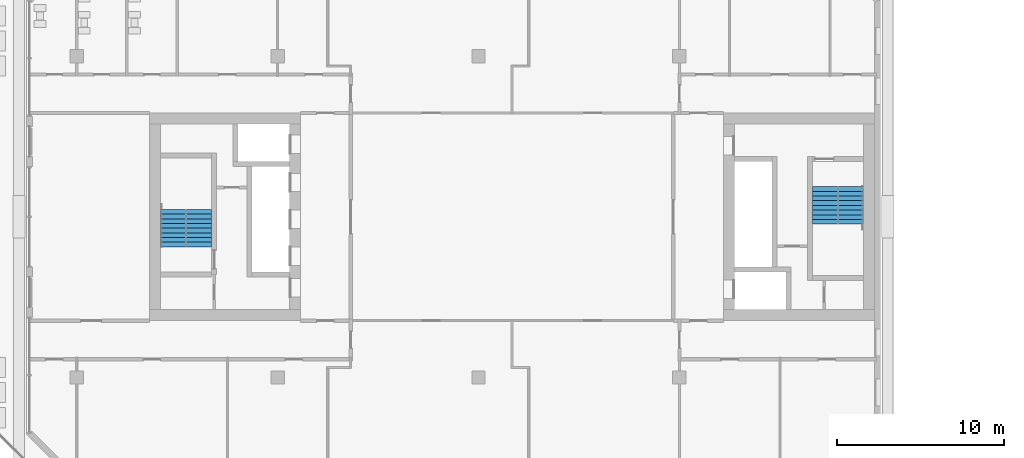
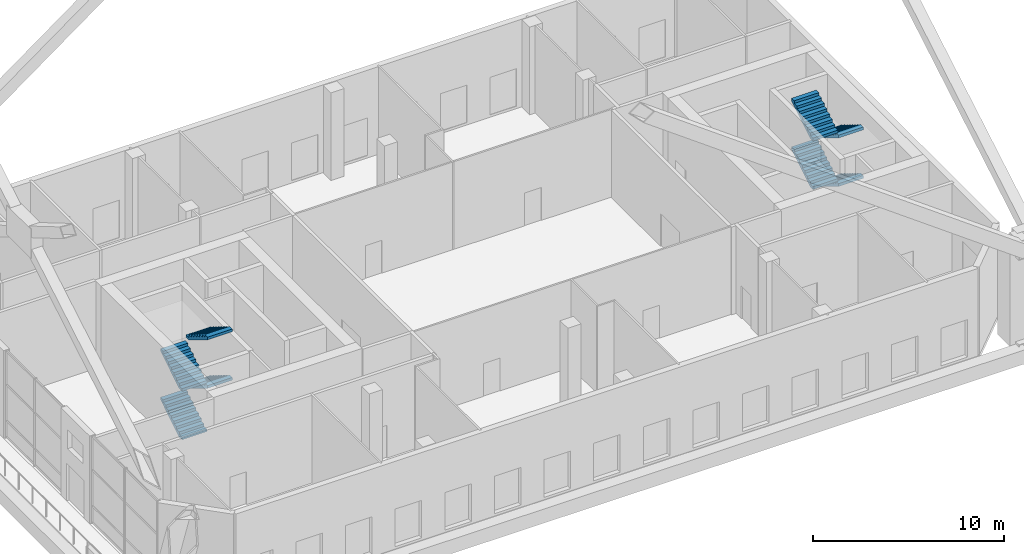
# One storey, part 18 of 20: 8 stair flights, 2 elements without a shape of their own.
"""IFC4 building model written with IfcOpenShell, lengths in metres."""

from ifc_helpers import new_model, si_unit, direction, frame, origin, place, context, subcontext, project, spatial, faceted_brep, material, type_object, element, aggregate, save


model = new_model("IFC4")

# Units and contexts
model_context = context("Model", 3, precision=1e-05, world=origin(), true_north=direction((0.0, 1.0)))
body_context = subcontext(model_context, "Body", "Model", "MODEL_VIEW")
ifc_project = project(units=[si_unit("LENGTHUNIT", "METRE"), si_unit("AREAUNIT", "SQUARE_METRE"), si_unit("VOLUMEUNIT", "CUBIC_METRE"), si_unit("PLANEANGLEUNIT", "RADIAN"), si_unit("MASSUNIT", "GRAM", prefix="KILO")], contexts=[model_context])

# Site, building, storey
site_placement = place(None, origin())
site = spatial("IfcSite", under=ifc_project, at=site_placement, CompositionType="ELEMENT")
building_placement = place(site_placement, origin())
building = spatial("IfcBuilding", under=site, at=building_placement, Name="Tuart Gate Housing", CompositionType="ELEMENT")
storey_placement = place(building_placement, frame((0.0, 0.0, 90.199951171875)))
storey = spatial("IfcBuildingStorey", under=building, at=storey_placement, Name="L25", CompositionType="ELEMENT", Elevation=90.199951171875)

# Stair, stair flights
ifc_material_1 = material(Name="Concrete C40", Category="concrete")
stair_type = type_object("IfcStairType", Name="Core stair 1500", PredefinedType="HALF_TURN_STAIR", material=ifc_material_1)
stair_1_placement = place(storey_placement, origin())
stair_1 = element("IfcStair", 1, at=stair_1_placement, inside=storey, type_object=stair_type, Name="Stair SA1", PredefinedType="HALF_TURN_STAIR")
ifc_material_2 = material(Name="Concrete C40", Category="concrete")
stair_flight_type = type_object("IfcStairFlightType", Name="Stair flight 1500, 9 risers 172 x 280", PredefinedType="STRAIGHT", material=ifc_material_2)
stair_flight_1_placement = place(storey_placement, frame((74.239990234375, 71.800048828125, 0.0), z_axis=(0.0, 0.0, 1.0), x_axis=(0.0, -1.0, 0.0)))
stair_flight_1 = element("IfcStairFlight", 2, at=stair_flight_1_placement, type_object=stair_flight_type, Name="SA1 flight 1", NumberOfRisers=9, NumberOfTreads=8, PredefinedType="STRAIGHT", RiserHeight=0.172222222, TreadLength=0.28, context=body_context, shape_type="Brep", body=[
    faceted_brep([(0.0, 0.75, 0.0), (0.0, 0.75, 0.172119140625), (0.280029296875, 0.75, 0.172119140625), (0.280029296875, 0.75, 0.344482421875), (0.56005859375, 0.75, 0.344482421875), (0.56005859375, 0.75, 0.5166015625), (0.840087890625, 0.75, 0.5166015625), (0.840087890625, 0.75, 0.68896484375), (1.1201171875, 0.75, 0.68896484375), (1.1201171875, 0.75, 0.861083984375), (1.39990234375, 0.75, 0.861083984375), (1.39990234375, 0.75, 1.033447265625), (1.679931640625, 0.75, 1.033447265625), (1.679931640625, 0.75, 1.20556640625), (1.9599609375, 0.75, 1.20556640625), (1.9599609375, 0.75, 1.377685546875), (2.239990234375, 0.75, 1.377685546875), (2.239990234375, 0.75, 1.201904296875), (0.2861328125, 0.75, 0.0), (0.2861328125, -0.75, 0.0), (2.239990234375, -0.75, 1.201904296875), (2.239990234375, -0.75, 1.377685546875), (1.9599609375, -0.75, 1.377685546875), (1.9599609375, -0.75, 1.20556640625), (1.679931640625, -0.75, 1.20556640625), (1.679931640625, -0.75, 1.033447265625), (1.39990234375, -0.75, 1.033447265625), (1.39990234375, -0.75, 0.861083984375), (1.1201171875, -0.75, 0.861083984375), (1.1201171875, -0.75, 0.68896484375), (0.840087890625, -0.75, 0.68896484375), (0.840087890625, -0.75, 0.5166015625), (0.56005859375, -0.75, 0.5166015625), (0.56005859375, -0.75, 0.344482421875), (0.280029296875, -0.75, 0.344482421875), (0.280029296875, -0.75, 0.172119140625), (0.0, -0.75, 0.172119140625), (0.0, -0.75, 0.0), (2.239990234375, 0.0, 1.201904296875), (0.2861328125, 0.0, 0.0), (2.239990234375, 0.0, 1.377685546875), (1.9599609375, 0.0, 1.377685546875), (1.9599609375, 0.0, 1.20556640625), (1.679931640625, 0.0, 1.20556640625), (1.679931640625, 0.0, 1.033447265625), (1.39990234375, 0.0, 1.033447265625), (1.39990234375, 0.0, 0.861083984375), (1.1201171875, 0.0, 0.861083984375), (1.1201171875, 0.0, 0.68896484375), (0.840087890625, 0.0, 0.68896484375), (0.840087890625, 0.0, 0.5166015625), (0.56005859375, 0.0, 0.5166015625), (0.56005859375, 0.0, 0.344482421875), (0.280029296875, 0.0, 0.344482421875), (0.280029296875, 0.0, 0.172119140625), (0.0, 0.0, 0.172119140625), (0.0, 0.0, 0.0)], [[[0, 1, 2, 3, 4, 5, 6, 7, 8, 9, 10, 11, 12, 13, 14, 15, 16, 17, 18]], [[19, 20, 21, 22, 23, 24, 25, 26, 27, 28, 29, 30, 31, 32, 33, 34, 35, 36, 37]], [[18, 17, 38, 39]], [[39, 38, 20, 19]], [[17, 16, 40, 38]], [[38, 40, 21, 20]], [[16, 15, 41, 40]], [[40, 41, 22, 21]], [[15, 14, 42, 41]], [[41, 42, 23, 22]], [[14, 13, 43, 42]], [[42, 43, 24, 23]], [[13, 12, 44, 43]], [[43, 44, 25, 24]], [[12, 11, 45, 44]], [[44, 45, 26, 25]], [[11, 10, 46, 45]], [[45, 46, 27, 26]], [[10, 9, 47, 46]], [[46, 47, 28, 27]], [[9, 8, 48, 47]], [[47, 48, 29, 28]], [[8, 7, 49, 48]], [[48, 49, 30, 29]], [[7, 6, 50, 49]], [[49, 50, 31, 30]], [[6, 5, 51, 50]], [[50, 51, 32, 31]], [[5, 4, 52, 51]], [[51, 52, 33, 32]], [[4, 3, 53, 52]], [[52, 53, 34, 33]], [[3, 2, 54, 53]], [[53, 54, 35, 34]], [[2, 1, 55, 54]], [[54, 55, 36, 35]], [[1, 0, 56, 55]], [[55, 56, 37, 36]], [[0, 18, 39, 56]], [[56, 39, 19, 37]]]),
])
stair_flight_2_placement = place(storey_placement, frame((72.68994140625, 69.56005859375, 1.550048828125), z_axis=(0.0, 0.0, 1.0), x_axis=(0.0, 1.0, 0.0)))
stair_flight_2 = element("IfcStairFlight", 3, at=stair_flight_2_placement, type_object=stair_flight_type, Name="SA1 flight 2", NumberOfRisers=9, NumberOfTreads=8, PredefinedType="STRAIGHT", RiserHeight=0.172222222, TreadLength=0.28, context=body_context, shape_type="Brep", body=[
    faceted_brep([(0.0, 0.75, 0.0), (0.0, 0.75, 0.172119140625), (0.280029296875, 0.75, 0.172119140625), (0.280029296875, 0.75, 0.344482421875), (0.56005859375, 0.75, 0.344482421875), (0.56005859375, 0.75, 0.5166015625), (0.840087890625, 0.75, 0.5166015625), (0.840087890625, 0.75, 0.68896484375), (1.1201171875, 0.75, 0.68896484375), (1.1201171875, 0.75, 0.861083984375), (1.39990234375, 0.75, 0.861083984375), (1.39990234375, 0.75, 1.033447265625), (1.679931640625, 0.75, 1.033447265625), (1.679931640625, 0.75, 1.20556640625), (1.9599609375, 0.75, 1.20556640625), (1.9599609375, 0.75, 1.377685546875), (2.239990234375, 0.75, 1.377685546875), (2.239990234375, 0.75, 1.201904296875), (0.2861328125, 0.75, 0.0), (0.2861328125, -0.75, 0.0), (2.239990234375, -0.75, 1.201904296875), (2.239990234375, -0.75, 1.377685546875), (1.9599609375, -0.75, 1.377685546875), (1.9599609375, -0.75, 1.20556640625), (1.679931640625, -0.75, 1.20556640625), (1.679931640625, -0.75, 1.033447265625), (1.39990234375, -0.75, 1.033447265625), (1.39990234375, -0.75, 0.861083984375), (1.1201171875, -0.75, 0.861083984375), (1.1201171875, -0.75, 0.68896484375), (0.840087890625, -0.75, 0.68896484375), (0.840087890625, -0.75, 0.5166015625), (0.56005859375, -0.75, 0.5166015625), (0.56005859375, -0.75, 0.344482421875), (0.280029296875, -0.75, 0.344482421875), (0.280029296875, -0.75, 0.172119140625), (0.0, -0.75, 0.172119140625), (0.0, -0.75, 0.0), (2.239990234375, 0.0, 1.201904296875), (0.2861328125, 0.0, 0.0), (2.239990234375, 0.0, 1.377685546875), (1.9599609375, 0.0, 1.377685546875), (1.9599609375, 0.0, 1.20556640625), (1.679931640625, 0.0, 1.20556640625), (1.679931640625, 0.0, 1.033447265625), (1.39990234375, 0.0, 1.033447265625), (1.39990234375, 0.0, 0.861083984375), (1.1201171875, 0.0, 0.861083984375), (1.1201171875, 0.0, 0.68896484375), (0.840087890625, 0.0, 0.68896484375), (0.840087890625, 0.0, 0.5166015625), (0.56005859375, 0.0, 0.5166015625), (0.56005859375, 0.0, 0.344482421875), (0.280029296875, 0.0, 0.344482421875), (0.280029296875, 0.0, 0.172119140625), (0.0, 0.0, 0.172119140625), (0.0, 0.0, 0.0)], [[[0, 1, 2, 3, 4, 5, 6, 7, 8, 9, 10, 11, 12, 13, 14, 15, 16, 17, 18]], [[19, 20, 21, 22, 23, 24, 25, 26, 27, 28, 29, 30, 31, 32, 33, 34, 35, 36, 37]], [[18, 17, 38, 39]], [[39, 38, 20, 19]], [[17, 16, 40, 38]], [[38, 40, 21, 20]], [[16, 15, 41, 40]], [[40, 41, 22, 21]], [[15, 14, 42, 41]], [[41, 42, 23, 22]], [[14, 13, 43, 42]], [[42, 43, 24, 23]], [[13, 12, 44, 43]], [[43, 44, 25, 24]], [[12, 11, 45, 44]], [[44, 45, 26, 25]], [[11, 10, 46, 45]], [[45, 46, 27, 26]], [[10, 9, 47, 46]], [[46, 47, 28, 27]], [[9, 8, 48, 47]], [[47, 48, 29, 28]], [[8, 7, 49, 48]], [[48, 49, 30, 29]], [[7, 6, 50, 49]], [[49, 50, 31, 30]], [[6, 5, 51, 50]], [[50, 51, 32, 31]], [[5, 4, 52, 51]], [[51, 52, 33, 32]], [[4, 3, 53, 52]], [[52, 53, 34, 33]], [[3, 2, 54, 53]], [[53, 54, 35, 34]], [[2, 1, 55, 54]], [[54, 55, 36, 35]], [[1, 0, 56, 55]], [[55, 56, 37, 36]], [[0, 18, 39, 56]], [[56, 39, 19, 37]]]),
])
stair_flight_3_placement = place(storey_placement, frame((74.239990234375, 71.800048828125, 3.10009765625), z_axis=(0.0, 0.0, 1.0), x_axis=(0.0, -1.0, 0.0)))
stair_flight_3 = element("IfcStairFlight", 4, at=stair_flight_3_placement, type_object=stair_flight_type, Name="SA1 flight 3", NumberOfRisers=9, NumberOfTreads=8, PredefinedType="STRAIGHT", RiserHeight=0.172222222, TreadLength=0.28, context=body_context, shape_type="Brep", body=[
    faceted_brep([(0.0, 0.75, 0.0), (0.0, 0.75, 0.172119140625), (0.280029296875, 0.75, 0.172119140625), (0.280029296875, 0.75, 0.344482421875), (0.56005859375, 0.75, 0.344482421875), (0.56005859375, 0.75, 0.5166015625), (0.840087890625, 0.75, 0.5166015625), (0.840087890625, 0.75, 0.68896484375), (1.1201171875, 0.75, 0.68896484375), (1.1201171875, 0.75, 0.861083984375), (1.39990234375, 0.75, 0.861083984375), (1.39990234375, 0.75, 1.033447265625), (1.679931640625, 0.75, 1.033447265625), (1.679931640625, 0.75, 1.20556640625), (1.9599609375, 0.75, 1.20556640625), (1.9599609375, 0.75, 1.377685546875), (2.239990234375, 0.75, 1.377685546875), (2.239990234375, 0.75, 1.201904296875), (0.2861328125, 0.75, 0.0), (0.2861328125, -0.75, 0.0), (2.239990234375, -0.75, 1.201904296875), (2.239990234375, -0.75, 1.377685546875), (1.9599609375, -0.75, 1.377685546875), (1.9599609375, -0.75, 1.20556640625), (1.679931640625, -0.75, 1.20556640625), (1.679931640625, -0.75, 1.033447265625), (1.39990234375, -0.75, 1.033447265625), (1.39990234375, -0.75, 0.861083984375), (1.1201171875, -0.75, 0.861083984375), (1.1201171875, -0.75, 0.68896484375), (0.840087890625, -0.75, 0.68896484375), (0.840087890625, -0.75, 0.5166015625), (0.56005859375, -0.75, 0.5166015625), (0.56005859375, -0.75, 0.344482421875), (0.280029296875, -0.75, 0.344482421875), (0.280029296875, -0.75, 0.172119140625), (0.0, -0.75, 0.172119140625), (0.0, -0.75, 0.0), (2.239990234375, 0.0, 1.201904296875), (0.2861328125, 0.0, 0.0), (2.239990234375, 0.0, 1.377685546875), (1.9599609375, 0.0, 1.377685546875), (1.9599609375, 0.0, 1.20556640625), (1.679931640625, 0.0, 1.20556640625), (1.679931640625, 0.0, 1.033447265625), (1.39990234375, 0.0, 1.033447265625), (1.39990234375, 0.0, 0.861083984375), (1.1201171875, 0.0, 0.861083984375), (1.1201171875, 0.0, 0.68896484375), (0.840087890625, 0.0, 0.68896484375), (0.840087890625, 0.0, 0.5166015625), (0.56005859375, 0.0, 0.5166015625), (0.56005859375, 0.0, 0.344482421875), (0.280029296875, 0.0, 0.344482421875), (0.280029296875, 0.0, 0.172119140625), (0.0, 0.0, 0.172119140625), (0.0, 0.0, 0.0)], [[[0, 1, 2, 3, 4, 5, 6, 7, 8, 9, 10, 11, 12, 13, 14, 15, 16, 17, 18]], [[19, 20, 21, 22, 23, 24, 25, 26, 27, 28, 29, 30, 31, 32, 33, 34, 35, 36, 37]], [[18, 17, 38, 39]], [[39, 38, 20, 19]], [[17, 16, 40, 38]], [[38, 40, 21, 20]], [[16, 15, 41, 40]], [[40, 41, 22, 21]], [[15, 14, 42, 41]], [[41, 42, 23, 22]], [[14, 13, 43, 42]], [[42, 43, 24, 23]], [[13, 12, 44, 43]], [[43, 44, 25, 24]], [[12, 11, 45, 44]], [[44, 45, 26, 25]], [[11, 10, 46, 45]], [[45, 46, 27, 26]], [[10, 9, 47, 46]], [[46, 47, 28, 27]], [[9, 8, 48, 47]], [[47, 48, 29, 28]], [[8, 7, 49, 48]], [[48, 49, 30, 29]], [[7, 6, 50, 49]], [[49, 50, 31, 30]], [[6, 5, 51, 50]], [[50, 51, 32, 31]], [[5, 4, 52, 51]], [[51, 52, 33, 32]], [[4, 3, 53, 52]], [[52, 53, 34, 33]], [[3, 2, 54, 53]], [[53, 54, 35, 34]], [[2, 1, 55, 54]], [[54, 55, 36, 35]], [[1, 0, 56, 55]], [[55, 56, 37, 36]], [[0, 18, 39, 56]], [[56, 39, 19, 37]]]),
])
stair_flight_4_placement = place(storey_placement, frame((72.68994140625, 69.56005859375, 4.650146484375), z_axis=(0.0, 0.0, 1.0), x_axis=(0.0, 1.0, 0.0)))
stair_flight_4 = element("IfcStairFlight", 5, at=stair_flight_4_placement, type_object=stair_flight_type, Name="SA1 flight 4", NumberOfRisers=9, NumberOfTreads=8, PredefinedType="STRAIGHT", RiserHeight=0.172222222, TreadLength=0.28, context=body_context, shape_type="Brep", body=[
    faceted_brep([(0.0, 0.75, 0.0), (0.0, 0.75, 0.172119140625), (0.280029296875, 0.75, 0.172119140625), (0.280029296875, 0.75, 0.344482421875), (0.56005859375, 0.75, 0.344482421875), (0.56005859375, 0.75, 0.5166015625), (0.840087890625, 0.75, 0.5166015625), (0.840087890625, 0.75, 0.68896484375), (1.1201171875, 0.75, 0.68896484375), (1.1201171875, 0.75, 0.861083984375), (1.39990234375, 0.75, 0.861083984375), (1.39990234375, 0.75, 1.033447265625), (1.679931640625, 0.75, 1.033447265625), (1.679931640625, 0.75, 1.20556640625), (1.9599609375, 0.75, 1.20556640625), (1.9599609375, 0.75, 1.377685546875), (2.239990234375, 0.75, 1.377685546875), (2.239990234375, 0.75, 1.201904296875), (0.2861328125, 0.75, 0.0), (0.2861328125, -0.75, 0.0), (2.239990234375, -0.75, 1.201904296875), (2.239990234375, -0.75, 1.377685546875), (1.9599609375, -0.75, 1.377685546875), (1.9599609375, -0.75, 1.20556640625), (1.679931640625, -0.75, 1.20556640625), (1.679931640625, -0.75, 1.033447265625), (1.39990234375, -0.75, 1.033447265625), (1.39990234375, -0.75, 0.861083984375), (1.1201171875, -0.75, 0.861083984375), (1.1201171875, -0.75, 0.68896484375), (0.840087890625, -0.75, 0.68896484375), (0.840087890625, -0.75, 0.5166015625), (0.56005859375, -0.75, 0.5166015625), (0.56005859375, -0.75, 0.344482421875), (0.280029296875, -0.75, 0.344482421875), (0.280029296875, -0.75, 0.172119140625), (0.0, -0.75, 0.172119140625), (0.0, -0.75, 0.0), (2.239990234375, 0.0, 1.201904296875), (0.2861328125, 0.0, 0.0), (2.239990234375, 0.0, 1.377685546875), (1.9599609375, 0.0, 1.377685546875), (1.9599609375, 0.0, 1.20556640625), (1.679931640625, 0.0, 1.20556640625), (1.679931640625, 0.0, 1.033447265625), (1.39990234375, 0.0, 1.033447265625), (1.39990234375, 0.0, 0.861083984375), (1.1201171875, 0.0, 0.861083984375), (1.1201171875, 0.0, 0.68896484375), (0.840087890625, 0.0, 0.68896484375), (0.840087890625, 0.0, 0.5166015625), (0.56005859375, 0.0, 0.5166015625), (0.56005859375, 0.0, 0.344482421875), (0.280029296875, 0.0, 0.344482421875), (0.280029296875, 0.0, 0.172119140625), (0.0, 0.0, 0.172119140625), (0.0, 0.0, 0.0)], [[[0, 1, 2, 3, 4, 5, 6, 7, 8, 9, 10, 11, 12, 13, 14, 15, 16, 17, 18]], [[19, 20, 21, 22, 23, 24, 25, 26, 27, 28, 29, 30, 31, 32, 33, 34, 35, 36, 37]], [[18, 17, 38, 39]], [[39, 38, 20, 19]], [[17, 16, 40, 38]], [[38, 40, 21, 20]], [[16, 15, 41, 40]], [[40, 41, 22, 21]], [[15, 14, 42, 41]], [[41, 42, 23, 22]], [[14, 13, 43, 42]], [[42, 43, 24, 23]], [[13, 12, 44, 43]], [[43, 44, 25, 24]], [[12, 11, 45, 44]], [[44, 45, 26, 25]], [[11, 10, 46, 45]], [[45, 46, 27, 26]], [[10, 9, 47, 46]], [[46, 47, 28, 27]], [[9, 8, 48, 47]], [[47, 48, 29, 28]], [[8, 7, 49, 48]], [[48, 49, 30, 29]], [[7, 6, 50, 49]], [[49, 50, 31, 30]], [[6, 5, 51, 50]], [[50, 51, 32, 31]], [[5, 4, 52, 51]], [[51, 52, 33, 32]], [[4, 3, 53, 52]], [[52, 53, 34, 33]], [[3, 2, 54, 53]], [[53, 54, 35, 34]], [[2, 1, 55, 54]], [[54, 55, 36, 35]], [[1, 0, 56, 55]], [[55, 56, 37, 36]], [[0, 18, 39, 56]], [[56, 39, 19, 37]]]),
])
aggregate(stair_1, [stair_flight_1, stair_flight_2, stair_flight_3, stair_flight_4])

stair_2_placement = place(storey_placement, origin())
stair_2 = element("IfcStair", 6, at=stair_2_placement, inside=storey, type_object=stair_type, Name="Stair SA2", PredefinedType="HALF_TURN_STAIR")
stair_flight_5_placement = place(storey_placement, frame((33.760009765625, 68.199951171875, 0.0), z_axis=(0.0, 0.0, 1.0), x_axis=(0.0, 1.0, 0.0)))
stair_flight_5 = element("IfcStairFlight", 7, at=stair_flight_5_placement, type_object=stair_flight_type, Name="SA2 flight 1", NumberOfRisers=9, NumberOfTreads=8, PredefinedType="STRAIGHT", RiserHeight=0.172222222, TreadLength=0.28, context=body_context, shape_type="Brep", body=[
    faceted_brep([(0.0, 0.75, 0.0), (0.0, 0.75, 0.172119140625), (0.280029296875, 0.75, 0.172119140625), (0.280029296875, 0.75, 0.344482421875), (0.56005859375, 0.75, 0.344482421875), (0.56005859375, 0.75, 0.5166015625), (0.840087890625, 0.75, 0.5166015625), (0.840087890625, 0.75, 0.68896484375), (1.1201171875, 0.75, 0.68896484375), (1.1201171875, 0.75, 0.861083984375), (1.39990234375, 0.75, 0.861083984375), (1.39990234375, 0.75, 1.033447265625), (1.679931640625, 0.75, 1.033447265625), (1.679931640625, 0.75, 1.20556640625), (1.9599609375, 0.75, 1.20556640625), (1.9599609375, 0.75, 1.377685546875), (2.239990234375, 0.75, 1.377685546875), (2.239990234375, 0.75, 1.201904296875), (0.2861328125, 0.75, 0.0), (0.2861328125, -0.75, 0.0), (2.239990234375, -0.75, 1.201904296875), (2.239990234375, -0.75, 1.377685546875), (1.9599609375, -0.75, 1.377685546875), (1.9599609375, -0.75, 1.20556640625), (1.679931640625, -0.75, 1.20556640625), (1.679931640625, -0.75, 1.033447265625), (1.39990234375, -0.75, 1.033447265625), (1.39990234375, -0.75, 0.861083984375), (1.1201171875, -0.75, 0.861083984375), (1.1201171875, -0.75, 0.68896484375), (0.840087890625, -0.75, 0.68896484375), (0.840087890625, -0.75, 0.5166015625), (0.56005859375, -0.75, 0.5166015625), (0.56005859375, -0.75, 0.344482421875), (0.280029296875, -0.75, 0.344482421875), (0.280029296875, -0.75, 0.172119140625), (0.0, -0.75, 0.172119140625), (0.0, -0.75, 0.0), (2.239990234375, 0.0, 1.201904296875), (0.2861328125, 0.0, 0.0), (2.239990234375, 0.0, 1.377685546875), (1.9599609375, 0.0, 1.377685546875), (1.9599609375, 0.0, 1.20556640625), (1.679931640625, 0.0, 1.20556640625), (1.679931640625, 0.0, 1.033447265625), (1.39990234375, 0.0, 1.033447265625), (1.39990234375, 0.0, 0.861083984375), (1.1201171875, 0.0, 0.861083984375), (1.1201171875, 0.0, 0.68896484375), (0.840087890625, 0.0, 0.68896484375), (0.840087890625, 0.0, 0.5166015625), (0.56005859375, 0.0, 0.5166015625), (0.56005859375, 0.0, 0.344482421875), (0.280029296875, 0.0, 0.344482421875), (0.280029296875, 0.0, 0.172119140625), (0.0, 0.0, 0.172119140625), (0.0, 0.0, 0.0)], [[[0, 1, 2, 3, 4, 5, 6, 7, 8, 9, 10, 11, 12, 13, 14, 15, 16, 17, 18]], [[19, 20, 21, 22, 23, 24, 25, 26, 27, 28, 29, 30, 31, 32, 33, 34, 35, 36, 37]], [[18, 17, 38, 39]], [[39, 38, 20, 19]], [[17, 16, 40, 38]], [[38, 40, 21, 20]], [[16, 15, 41, 40]], [[40, 41, 22, 21]], [[15, 14, 42, 41]], [[41, 42, 23, 22]], [[14, 13, 43, 42]], [[42, 43, 24, 23]], [[13, 12, 44, 43]], [[43, 44, 25, 24]], [[12, 11, 45, 44]], [[44, 45, 26, 25]], [[11, 10, 46, 45]], [[45, 46, 27, 26]], [[10, 9, 47, 46]], [[46, 47, 28, 27]], [[9, 8, 48, 47]], [[47, 48, 29, 28]], [[8, 7, 49, 48]], [[48, 49, 30, 29]], [[7, 6, 50, 49]], [[49, 50, 31, 30]], [[6, 5, 51, 50]], [[50, 51, 32, 31]], [[5, 4, 52, 51]], [[51, 52, 33, 32]], [[4, 3, 53, 52]], [[52, 53, 34, 33]], [[3, 2, 54, 53]], [[53, 54, 35, 34]], [[2, 1, 55, 54]], [[54, 55, 36, 35]], [[1, 0, 56, 55]], [[55, 56, 37, 36]], [[0, 18, 39, 56]], [[56, 39, 19, 37]]]),
])
stair_flight_6_placement = place(storey_placement, frame((35.31005859375, 70.43994140625, 1.550048828125), z_axis=(0.0, 0.0, 1.0), x_axis=(0.0, -1.0, 0.0)))
stair_flight_6 = element("IfcStairFlight", 8, at=stair_flight_6_placement, type_object=stair_flight_type, Name="SA2 flight 2", NumberOfRisers=9, NumberOfTreads=8, PredefinedType="STRAIGHT", RiserHeight=0.172222222, TreadLength=0.28, context=body_context, shape_type="Brep", body=[
    faceted_brep([(0.0, 0.75, 0.0), (0.0, 0.75, 0.172119140625), (0.280029296875, 0.75, 0.172119140625), (0.280029296875, 0.75, 0.344482421875), (0.56005859375, 0.75, 0.344482421875), (0.56005859375, 0.75, 0.5166015625), (0.840087890625, 0.75, 0.5166015625), (0.840087890625, 0.75, 0.68896484375), (1.1201171875, 0.75, 0.68896484375), (1.1201171875, 0.75, 0.861083984375), (1.39990234375, 0.75, 0.861083984375), (1.39990234375, 0.75, 1.033447265625), (1.679931640625, 0.75, 1.033447265625), (1.679931640625, 0.75, 1.20556640625), (1.9599609375, 0.75, 1.20556640625), (1.9599609375, 0.75, 1.377685546875), (2.239990234375, 0.75, 1.377685546875), (2.239990234375, 0.75, 1.201904296875), (0.2861328125, 0.75, 0.0), (0.2861328125, -0.75, 0.0), (2.239990234375, -0.75, 1.201904296875), (2.239990234375, -0.75, 1.377685546875), (1.9599609375, -0.75, 1.377685546875), (1.9599609375, -0.75, 1.20556640625), (1.679931640625, -0.75, 1.20556640625), (1.679931640625, -0.75, 1.033447265625), (1.39990234375, -0.75, 1.033447265625), (1.39990234375, -0.75, 0.861083984375), (1.1201171875, -0.75, 0.861083984375), (1.1201171875, -0.75, 0.68896484375), (0.840087890625, -0.75, 0.68896484375), (0.840087890625, -0.75, 0.5166015625), (0.56005859375, -0.75, 0.5166015625), (0.56005859375, -0.75, 0.344482421875), (0.280029296875, -0.75, 0.344482421875), (0.280029296875, -0.75, 0.172119140625), (0.0, -0.75, 0.172119140625), (0.0, -0.75, 0.0), (2.239990234375, 0.0, 1.201904296875), (0.2861328125, 0.0, 0.0), (2.239990234375, 0.0, 1.377685546875), (1.9599609375, 0.0, 1.377685546875), (1.9599609375, 0.0, 1.20556640625), (1.679931640625, 0.0, 1.20556640625), (1.679931640625, 0.0, 1.033447265625), (1.39990234375, 0.0, 1.033447265625), (1.39990234375, 0.0, 0.861083984375), (1.1201171875, 0.0, 0.861083984375), (1.1201171875, 0.0, 0.68896484375), (0.840087890625, 0.0, 0.68896484375), (0.840087890625, 0.0, 0.5166015625), (0.56005859375, 0.0, 0.5166015625), (0.56005859375, 0.0, 0.344482421875), (0.280029296875, 0.0, 0.344482421875), (0.280029296875, 0.0, 0.172119140625), (0.0, 0.0, 0.172119140625), (0.0, 0.0, 0.0)], [[[0, 1, 2, 3, 4, 5, 6, 7, 8, 9, 10, 11, 12, 13, 14, 15, 16, 17, 18]], [[19, 20, 21, 22, 23, 24, 25, 26, 27, 28, 29, 30, 31, 32, 33, 34, 35, 36, 37]], [[18, 17, 38, 39]], [[39, 38, 20, 19]], [[17, 16, 40, 38]], [[38, 40, 21, 20]], [[16, 15, 41, 40]], [[40, 41, 22, 21]], [[15, 14, 42, 41]], [[41, 42, 23, 22]], [[14, 13, 43, 42]], [[42, 43, 24, 23]], [[13, 12, 44, 43]], [[43, 44, 25, 24]], [[12, 11, 45, 44]], [[44, 45, 26, 25]], [[11, 10, 46, 45]], [[45, 46, 27, 26]], [[10, 9, 47, 46]], [[46, 47, 28, 27]], [[9, 8, 48, 47]], [[47, 48, 29, 28]], [[8, 7, 49, 48]], [[48, 49, 30, 29]], [[7, 6, 50, 49]], [[49, 50, 31, 30]], [[6, 5, 51, 50]], [[50, 51, 32, 31]], [[5, 4, 52, 51]], [[51, 52, 33, 32]], [[4, 3, 53, 52]], [[52, 53, 34, 33]], [[3, 2, 54, 53]], [[53, 54, 35, 34]], [[2, 1, 55, 54]], [[54, 55, 36, 35]], [[1, 0, 56, 55]], [[55, 56, 37, 36]], [[0, 18, 39, 56]], [[56, 39, 19, 37]]]),
])
stair_flight_7_placement = place(storey_placement, frame((33.760009765625, 68.199951171875, 3.10009765625), z_axis=(0.0, 0.0, 1.0), x_axis=(0.0, 1.0, 0.0)))
stair_flight_7 = element("IfcStairFlight", 9, at=stair_flight_7_placement, type_object=stair_flight_type, Name="SA2 flight 3", NumberOfRisers=9, NumberOfTreads=8, PredefinedType="STRAIGHT", RiserHeight=0.172222222, TreadLength=0.28, context=body_context, shape_type="Brep", body=[
    faceted_brep([(0.0, 0.75, 0.0), (0.0, 0.75, 0.172119140625), (0.280029296875, 0.75, 0.172119140625), (0.280029296875, 0.75, 0.344482421875), (0.56005859375, 0.75, 0.344482421875), (0.56005859375, 0.75, 0.5166015625), (0.840087890625, 0.75, 0.5166015625), (0.840087890625, 0.75, 0.68896484375), (1.1201171875, 0.75, 0.68896484375), (1.1201171875, 0.75, 0.861083984375), (1.39990234375, 0.75, 0.861083984375), (1.39990234375, 0.75, 1.033447265625), (1.679931640625, 0.75, 1.033447265625), (1.679931640625, 0.75, 1.20556640625), (1.9599609375, 0.75, 1.20556640625), (1.9599609375, 0.75, 1.377685546875), (2.239990234375, 0.75, 1.377685546875), (2.239990234375, 0.75, 1.201904296875), (0.2861328125, 0.75, 0.0), (0.2861328125, -0.75, 0.0), (2.239990234375, -0.75, 1.201904296875), (2.239990234375, -0.75, 1.377685546875), (1.9599609375, -0.75, 1.377685546875), (1.9599609375, -0.75, 1.20556640625), (1.679931640625, -0.75, 1.20556640625), (1.679931640625, -0.75, 1.033447265625), (1.39990234375, -0.75, 1.033447265625), (1.39990234375, -0.75, 0.861083984375), (1.1201171875, -0.75, 0.861083984375), (1.1201171875, -0.75, 0.68896484375), (0.840087890625, -0.75, 0.68896484375), (0.840087890625, -0.75, 0.5166015625), (0.56005859375, -0.75, 0.5166015625), (0.56005859375, -0.75, 0.344482421875), (0.280029296875, -0.75, 0.344482421875), (0.280029296875, -0.75, 0.172119140625), (0.0, -0.75, 0.172119140625), (0.0, -0.75, 0.0), (2.239990234375, 0.0, 1.201904296875), (0.2861328125, 0.0, 0.0), (2.239990234375, 0.0, 1.377685546875), (1.9599609375, 0.0, 1.377685546875), (1.9599609375, 0.0, 1.20556640625), (1.679931640625, 0.0, 1.20556640625), (1.679931640625, 0.0, 1.033447265625), (1.39990234375, 0.0, 1.033447265625), (1.39990234375, 0.0, 0.861083984375), (1.1201171875, 0.0, 0.861083984375), (1.1201171875, 0.0, 0.68896484375), (0.840087890625, 0.0, 0.68896484375), (0.840087890625, 0.0, 0.5166015625), (0.56005859375, 0.0, 0.5166015625), (0.56005859375, 0.0, 0.344482421875), (0.280029296875, 0.0, 0.344482421875), (0.280029296875, 0.0, 0.172119140625), (0.0, 0.0, 0.172119140625), (0.0, 0.0, 0.0)], [[[0, 1, 2, 3, 4, 5, 6, 7, 8, 9, 10, 11, 12, 13, 14, 15, 16, 17, 18]], [[19, 20, 21, 22, 23, 24, 25, 26, 27, 28, 29, 30, 31, 32, 33, 34, 35, 36, 37]], [[18, 17, 38, 39]], [[39, 38, 20, 19]], [[17, 16, 40, 38]], [[38, 40, 21, 20]], [[16, 15, 41, 40]], [[40, 41, 22, 21]], [[15, 14, 42, 41]], [[41, 42, 23, 22]], [[14, 13, 43, 42]], [[42, 43, 24, 23]], [[13, 12, 44, 43]], [[43, 44, 25, 24]], [[12, 11, 45, 44]], [[44, 45, 26, 25]], [[11, 10, 46, 45]], [[45, 46, 27, 26]], [[10, 9, 47, 46]], [[46, 47, 28, 27]], [[9, 8, 48, 47]], [[47, 48, 29, 28]], [[8, 7, 49, 48]], [[48, 49, 30, 29]], [[7, 6, 50, 49]], [[49, 50, 31, 30]], [[6, 5, 51, 50]], [[50, 51, 32, 31]], [[5, 4, 52, 51]], [[51, 52, 33, 32]], [[4, 3, 53, 52]], [[52, 53, 34, 33]], [[3, 2, 54, 53]], [[53, 54, 35, 34]], [[2, 1, 55, 54]], [[54, 55, 36, 35]], [[1, 0, 56, 55]], [[55, 56, 37, 36]], [[0, 18, 39, 56]], [[56, 39, 19, 37]]]),
])
stair_flight_8_placement = place(storey_placement, frame((35.31005859375, 70.43994140625, 4.650146484375), z_axis=(0.0, 0.0, 1.0), x_axis=(0.0, -1.0, 0.0)))
stair_flight_8 = element("IfcStairFlight", 10, at=stair_flight_8_placement, type_object=stair_flight_type, Name="SA2 flight 4", NumberOfRisers=9, NumberOfTreads=8, PredefinedType="STRAIGHT", RiserHeight=0.172222222, TreadLength=0.28, context=body_context, shape_type="Brep", body=[
    faceted_brep([(0.0, 0.75, 0.0), (0.0, 0.75, 0.172119140625), (0.280029296875, 0.75, 0.172119140625), (0.280029296875, 0.75, 0.344482421875), (0.56005859375, 0.75, 0.344482421875), (0.56005859375, 0.75, 0.5166015625), (0.840087890625, 0.75, 0.5166015625), (0.840087890625, 0.75, 0.68896484375), (1.1201171875, 0.75, 0.68896484375), (1.1201171875, 0.75, 0.861083984375), (1.39990234375, 0.75, 0.861083984375), (1.39990234375, 0.75, 1.033447265625), (1.679931640625, 0.75, 1.033447265625), (1.679931640625, 0.75, 1.20556640625), (1.9599609375, 0.75, 1.20556640625), (1.9599609375, 0.75, 1.377685546875), (2.239990234375, 0.75, 1.377685546875), (2.239990234375, 0.75, 1.201904296875), (0.2861328125, 0.75, 0.0), (0.2861328125, -0.75, 0.0), (2.239990234375, -0.75, 1.201904296875), (2.239990234375, -0.75, 1.377685546875), (1.9599609375, -0.75, 1.377685546875), (1.9599609375, -0.75, 1.20556640625), (1.679931640625, -0.75, 1.20556640625), (1.679931640625, -0.75, 1.033447265625), (1.39990234375, -0.75, 1.033447265625), (1.39990234375, -0.75, 0.861083984375), (1.1201171875, -0.75, 0.861083984375), (1.1201171875, -0.75, 0.68896484375), (0.840087890625, -0.75, 0.68896484375), (0.840087890625, -0.75, 0.5166015625), (0.56005859375, -0.75, 0.5166015625), (0.56005859375, -0.75, 0.344482421875), (0.280029296875, -0.75, 0.344482421875), (0.280029296875, -0.75, 0.172119140625), (0.0, -0.75, 0.172119140625), (0.0, -0.75, 0.0), (2.239990234375, 0.0, 1.201904296875), (0.2861328125, 0.0, 0.0), (2.239990234375, 0.0, 1.377685546875), (1.9599609375, 0.0, 1.377685546875), (1.9599609375, 0.0, 1.20556640625), (1.679931640625, 0.0, 1.20556640625), (1.679931640625, 0.0, 1.033447265625), (1.39990234375, 0.0, 1.033447265625), (1.39990234375, 0.0, 0.861083984375), (1.1201171875, 0.0, 0.861083984375), (1.1201171875, 0.0, 0.68896484375), (0.840087890625, 0.0, 0.68896484375), (0.840087890625, 0.0, 0.5166015625), (0.56005859375, 0.0, 0.5166015625), (0.56005859375, 0.0, 0.344482421875), (0.280029296875, 0.0, 0.344482421875), (0.280029296875, 0.0, 0.172119140625), (0.0, 0.0, 0.172119140625), (0.0, 0.0, 0.0)], [[[0, 1, 2, 3, 4, 5, 6, 7, 8, 9, 10, 11, 12, 13, 14, 15, 16, 17, 18]], [[19, 20, 21, 22, 23, 24, 25, 26, 27, 28, 29, 30, 31, 32, 33, 34, 35, 36, 37]], [[18, 17, 38, 39]], [[39, 38, 20, 19]], [[17, 16, 40, 38]], [[38, 40, 21, 20]], [[16, 15, 41, 40]], [[40, 41, 22, 21]], [[15, 14, 42, 41]], [[41, 42, 23, 22]], [[14, 13, 43, 42]], [[42, 43, 24, 23]], [[13, 12, 44, 43]], [[43, 44, 25, 24]], [[12, 11, 45, 44]], [[44, 45, 26, 25]], [[11, 10, 46, 45]], [[45, 46, 27, 26]], [[10, 9, 47, 46]], [[46, 47, 28, 27]], [[9, 8, 48, 47]], [[47, 48, 29, 28]], [[8, 7, 49, 48]], [[48, 49, 30, 29]], [[7, 6, 50, 49]], [[49, 50, 31, 30]], [[6, 5, 51, 50]], [[50, 51, 32, 31]], [[5, 4, 52, 51]], [[51, 52, 33, 32]], [[4, 3, 53, 52]], [[52, 53, 34, 33]], [[3, 2, 54, 53]], [[53, 54, 35, 34]], [[2, 1, 55, 54]], [[54, 55, 36, 35]], [[1, 0, 56, 55]], [[55, 56, 37, 36]], [[0, 18, 39, 56]], [[56, 39, 19, 37]]]),
])
aggregate(stair_2, [stair_flight_5, stair_flight_6, stair_flight_7, stair_flight_8])

save(model, "model.ifc")
